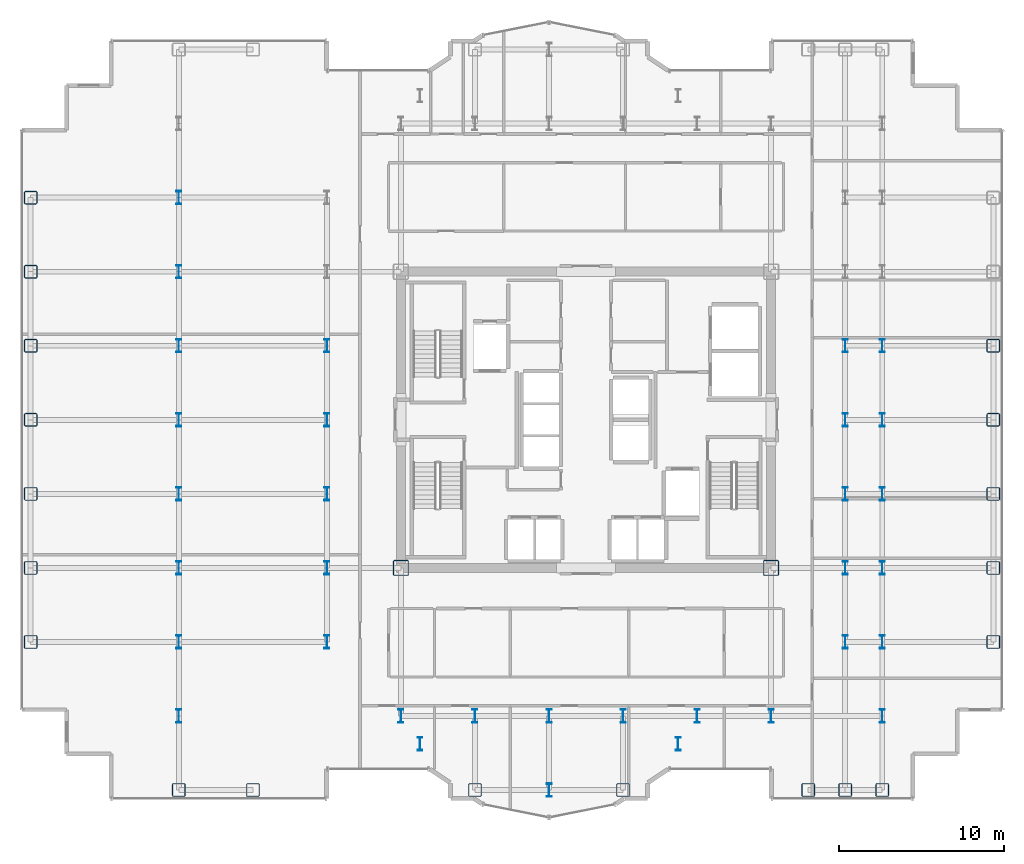
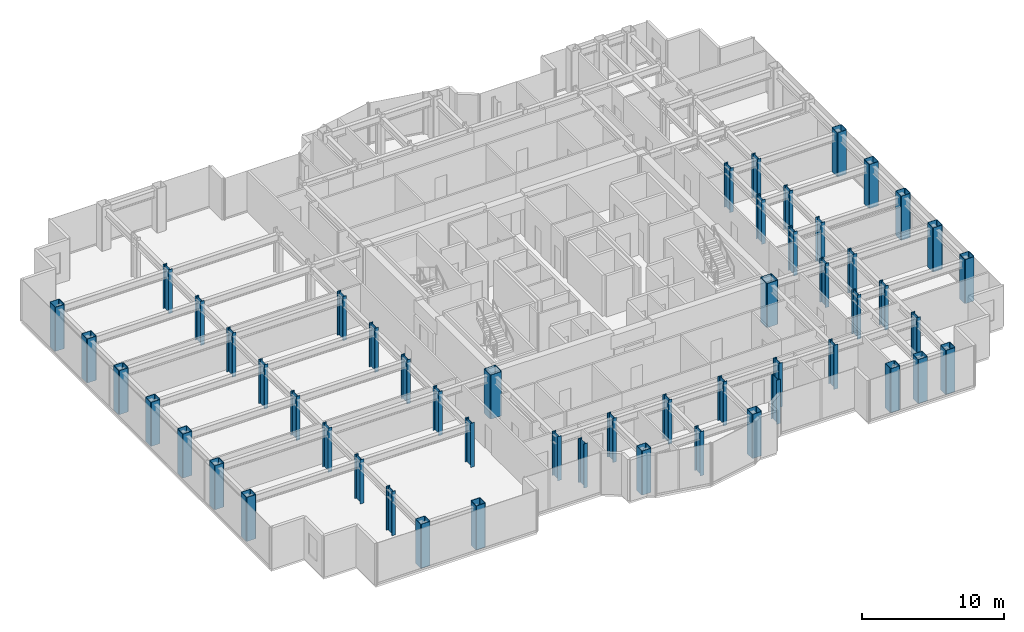
# One storey, part 1 of 23: 54 columns.
"""IFC4 building model written with IfcOpenShell, lengths in metres."""

from ifc_helpers import new_model, si_unit, direction, frame, origin, origin_2d, place, context, subcontext, project, spatial, hollow_rectangle, i_section, extrude, source, transform, mapped, material, material_profile, profile_set, type_object, element, save


model = new_model("IFC4")

# Units and contexts
model_context = context("Model", 3, precision=1e-05, world=origin(), true_north=direction((0.0, 1.0)))
body_context = subcontext(model_context, "Body", "Model", "MODEL_VIEW")
ifc_project = project(units=[si_unit("LENGTHUNIT", "METRE"), si_unit("AREAUNIT", "SQUARE_METRE"), si_unit("VOLUMEUNIT", "CUBIC_METRE"), si_unit("PLANEANGLEUNIT", "RADIAN"), si_unit("MASSUNIT", "GRAM", prefix="KILO")], contexts=[model_context])

# Site, building, storey
site_placement = place(None, origin())
site = spatial("IfcSite", under=ifc_project, at=site_placement, CompositionType="ELEMENT")
building_placement = place(site_placement, origin())
building = spatial("IfcBuilding", under=site, at=building_placement, Name="Nefas-Gora Pilgrimage Tower", CompositionType="ELEMENT")
storey_placement = place(building_placement, frame((0.0, 0.0, 152.60009765625)))
storey = spatial("IfcBuildingStorey", under=building, at=storey_placement, Name="L37", CompositionType="ELEMENT", Elevation=152.60009765625)

# Columns
ifc_material = material(Name="Steel S460", Category="steel")
ifc_material_profile_1 = material_profile(ifc_material, hollow_rectangle(XDim=0.949951171875, YDim=0.949951171875, WallThickness=0.044921875, InnerFilletRadius=0.044921875, OuterFilletRadius=0.090087890625, at=origin_2d()), Name="BOX 950x950x45")
ifc_profile_set_1 = profile_set([ifc_material_profile_1], Name="Steel S460")
column_type_1 = type_object("IfcColumnType", Name="COL-CORE-950", PredefinedType="COLUMN", material=ifc_profile_set_1)
shared_shape_1 = source(origin(), body_context, "Body", "SweptSolid", [
    extrude(hollow_rectangle(XDim=0.949951171875, YDim=0.949951171875, WallThickness=0.044921875, InnerFilletRadius=0.044921875, OuterFilletRadius=0.090087890625, at=origin_2d()), origin(), (0.0, 0.0, 1.0), 3.7998046875),
])
for number, where, z_axis, x_axis, name in (
    (1, (-11.25, -9.0, 0.0), (0.0, 0.0, 1.0), (1.0, 0.0, 0.0), "L37 Tower Column CC-Z1.29"),
    (2, (11.25, -9.0, 0.0), (0.0, 0.0, 1.0), (1.0, 0.0, 0.0), "L37 Tower Column CC-Z1.51"),
):
    element("IfcColumn", number, at=place(storey_placement, frame(where, z_axis=z_axis, x_axis=x_axis)), inside=storey, type_object=column_type_1, Name=name, PredefinedType="COLUMN", context=body_context, shape_type="MappedRepresentation", body=[
        mapped(shared_shape_1, transform((0.0, 0.0, 0.0), x_axis=(1.0, 0.0, 0.0), y_axis=(0.0, 1.0, 0.0), z_axis=(0.0, 0.0, 1.0), scale=1.0)),
    ])
ifc_material_profile_2 = material_profile(ifc_material, hollow_rectangle(XDim=0.800048828125, YDim=0.800048828125, WallThickness=0.0400390625, InnerFilletRadius=0.0400390625, OuterFilletRadius=0.080078125, at=origin_2d()), Name="BOX 800x800x40")
ifc_profile_set_2 = profile_set([ifc_material_profile_2], Name="Steel S460")
column_type_2 = type_object("IfcColumnType", Name="COL-TUBE-800", PredefinedType="COLUMN", material=ifc_profile_set_2)
shared_shape_2 = source(origin(), body_context, "Body", "SweptSolid", [
    extrude(hollow_rectangle(XDim=0.800048828125, YDim=0.800048828125, WallThickness=0.0400390625, InnerFilletRadius=0.0400390625, OuterFilletRadius=0.080078125, at=origin_2d()), origin(), (0.0, 0.0, 1.0), 3.7998046875),
])
for number, where, z_axis, x_axis, name in (
    (3, (-33.75, -13.5, 0.0), (0.0, 0.0, 1.0), (1.0, 0.0, 0.0), "L37 Tower Column C-Z2.1"),
    (4, (-33.75, -9.0, 0.0), (0.0, 0.0, 1.0), (1.0, 0.0, 0.0), "L37 Tower Column C-Z2.2"),
    (5, (-33.75, -4.5, 0.0), (0.0, 0.0, 1.0), (1.0, 0.0, 0.0), "L37 Tower Column C-Z2.3"),
    (6, (-33.75, 0.0, 0.0), (0.0, 0.0, 1.0), (1.0, 0.0, 0.0), "L37 Tower Column C-Z2.4"),
    (7, (-33.75, 4.5, 0.0), (0.0, 0.0, 1.0), (1.0, 0.0, 0.0), "L37 Tower Column C-Z2.5"),
    (8, (-33.75, 9.0, 0.0), (0.0, 0.0, 1.0), (1.0, 0.0, 0.0), "L37 Tower Column C-Z2.6"),
    (9, (-33.75, 13.5, 0.0), (0.0, 0.0, 1.0), (1.0, 0.0, 0.0), "L37 Tower Column C-Z2.7"),
    (10, (-24.75, -22.5, 0.0), (0.0, 0.0, 1.0), (1.0, 0.0, 0.0), "L37 Tower Column C-Z2.8"),
    (11, (-20.25, -22.5, 0.0), (0.0, 0.0, 1.0), (1.0, 0.0, 0.0), "L37 Tower Column C-Z2.19"),
    (12, (-6.75, -22.5, 0.0), (0.0, 0.0, 1.0), (1.0, 0.0, 0.0), "L37 Tower Column C-Z2.34"),
    (13, (2.25, -22.5, 0.0), (0.0, 0.0, 1.0), (1.0, 0.0, 0.0), "L37 Tower Column C-Z2.42"),
    (14, (13.5, -22.5, 0.0), (0.0, 0.0, 1.0), (1.0, 0.0, 0.0), "L37 Tower Column C-Z2.54"),
    (15, (15.75, -22.5, 0.0), (0.0, 0.0, 1.0), (1.0, 0.0, 0.0), "L37 Tower Column C-Z2.56"),
    (16, (18.0, -22.5, 0.0), (0.0, 0.0, 1.0), (1.0, 0.0, 0.0), "L37 Tower Column C-Z2.65"),
    (17, (24.75, -13.5, 0.0), (0.0, 0.0, 1.0), (1.0, 0.0, 0.0), "L37 Tower Column C-Z2.76"),
    (18, (24.75, -9.0, 0.0), (0.0, 0.0, 1.0), (1.0, 0.0, 0.0), "L37 Tower Column C-Z2.77"),
    (19, (24.75, -4.5, 0.0), (0.0, 0.0, 1.0), (1.0, 0.0, 0.0), "L37 Tower Column C-Z2.78"),
    (20, (24.75, 0.0, 0.0), (0.0, 0.0, 1.0), (1.0, 0.0, 0.0), "L37 Tower Column C-Z2.79"),
    (21, (24.75, 4.5, 0.0), (0.0, 0.0, 1.0), (1.0, 0.0, 0.0), "L37 Tower Column C-Z2.80"),
):
    element("IfcColumn", number, at=place(storey_placement, frame(where, z_axis=z_axis, x_axis=x_axis)), inside=storey, type_object=column_type_2, Name=name, PredefinedType="COLUMN", context=body_context, shape_type="MappedRepresentation", body=[
        mapped(shared_shape_2, transform((0.0, 0.0, 0.0), x_axis=(1.0, 0.0, 0.0), y_axis=(0.0, 1.0, 0.0), z_axis=(0.0, 0.0, 1.0), scale=1.0)),
    ])
ifc_material_profile_3 = material_profile(ifc_material, i_section(OverallWidth=0.302978515625, OverallDepth=0.81396484375, WebThickness=0.02099609375, FlangeThickness=0.0400390625, FilletRadius=0.030029296875, at=origin_2d()), Name="HEM 800")
ifc_profile_set_3 = profile_set([ifc_material_profile_3], Name="Steel S460")
column_type_3 = type_object("IfcColumnType", Name="COL-WEB-HEM800", PredefinedType="COLUMN", material=ifc_profile_set_3)
shared_shape_3 = source(origin(), body_context, "Body", "SweptSolid", [
    extrude(i_section(OverallWidth=0.302978515625, OverallDepth=0.81396484375, WebThickness=0.02099609375, FlangeThickness=0.0400390625, FilletRadius=0.030029296875, at=origin_2d()), origin(), (0.0, 0.0, 1.0), 3.7998046875),
])
for number, where, z_axis, x_axis, name in (
    (22, (-24.75, -18.0, 0.0), (0.0, 0.0, 1.0), (1.0, 0.0, 0.0), "L37 Tower Column CW-02.9"),
    (23, (-24.75, -13.5, 0.0), (0.0, 0.0, 1.0), (1.0, 0.0, 0.0), "L37 Tower Column CW-02.10"),
    (24, (-24.75, -9.0, 0.0), (0.0, 0.0, 1.0), (1.0, 0.0, 0.0), "L37 Tower Column CW-02.11"),
    (25, (-24.75, -4.5, 0.0), (0.0, 0.0, 1.0), (1.0, 0.0, 0.0), "L37 Tower Column CW-02.12"),
    (26, (-24.75, 0.0, 0.0), (0.0, 0.0, 1.0), (1.0, 0.0, 0.0), "L37 Tower Column CW-02.13"),
    (27, (-24.75, 4.5, 0.0), (0.0, 0.0, 1.0), (1.0, 0.0, 0.0), "L37 Tower Column CW-02.14"),
    (28, (-24.75, 9.0, 0.0), (0.0, 0.0, 1.0), (1.0, 0.0, 0.0), "L37 Tower Column CW-02.15"),
    (29, (-24.75, 13.5, 0.0), (0.0, 0.0, 1.0), (1.0, 0.0, 0.0), "L37 Tower Column CW-02.16"),
    (30, (-15.75, -13.5, 0.0), (0.0, 0.0, 1.0), (1.0, 0.0, 0.0), "L37 Tower Column CW-02.21"),
    (31, (-15.75, -9.0, 0.0), (0.0, 0.0, 1.0), (1.0, 0.0, 0.0), "L37 Tower Column CW-02.22"),
    (32, (-15.75, -4.5, 0.0), (0.0, 0.0, 1.0), (1.0, 0.0, 0.0), "L37 Tower Column CW-02.23"),
    (33, (-15.75, 0.0, 0.0), (0.0, 0.0, 1.0), (1.0, 0.0, 0.0), "L37 Tower Column CW-02.24"),
    (34, (-15.75, 4.5, 0.0), (0.0, 0.0, 1.0), (1.0, 0.0, 0.0), "L37 Tower Column CW-02.25"),
    (35, (-11.25, -18.0, 0.0), (0.0, 0.0, 1.0), (1.0, 0.0, 0.0), "L37 Tower Column CW-02.28"),
    (36, (-10.091064453125, -19.696044921875, 0.0), (0.0, 0.0, 1.0), (1.0, 0.0, 0.0), "L37 Tower Column CW-02.32"),
    (37, (-6.75, -18.0, 0.0), (0.0, 0.0, 1.0), (1.0, 0.0, 0.0), "L37 Tower Column CW-02.35"),
    (38, (-2.25, -22.5, 0.0), (0.0, 0.0, 1.0), (1.0, 0.0, 0.0), "L37 Tower Column CW-02.38"),
    (39, (-2.25, -18.0, 0.0), (0.0, 0.0, 1.0), (1.0, 0.0, 0.0), "L37 Tower Column CW-02.39"),
    (40, (2.25, -18.0, 0.0), (0.0, 0.0, 1.0), (1.0, 0.0, 0.0), "L37 Tower Column CW-02.43"),
    (41, (5.591064453125, -19.696044921875, 0.0), (0.0, 0.0, 1.0), (1.0, 0.0, 0.0), "L37 Tower Column CW-02.46"),
    (42, (6.75, -18.0, 0.0), (0.0, 0.0, 1.0), (1.0, 0.0, 0.0), "L37 Tower Column CW-02.48"),
    (43, (11.25, -18.0, 0.0), (0.0, 0.0, 1.0), (1.0, 0.0, 0.0), "L37 Tower Column CW-02.50"),
    (44, (15.75, -13.5, 0.0), (0.0, 0.0, 1.0), (1.0, 0.0, 0.0), "L37 Tower Column CW-02.57"),
    (45, (15.75, -9.0, 0.0), (0.0, 0.0, 1.0), (1.0, 0.0, 0.0), "L37 Tower Column CW-02.58"),
    (46, (15.75, -4.5, 0.0), (0.0, 0.0, 1.0), (1.0, 0.0, 0.0), "L37 Tower Column CW-02.59"),
    (47, (15.75, 0.0, 0.0), (0.0, 0.0, 1.0), (1.0, 0.0, 0.0), "L37 Tower Column CW-02.60"),
    (48, (15.75, 4.5, 0.0), (0.0, 0.0, 1.0), (1.0, 0.0, 0.0), "L37 Tower Column CW-02.61"),
    (49, (18.0, -18.0, 0.0), (0.0, 0.0, 1.0), (1.0, 0.0, 0.0), "L37 Tower Column CW-02.66"),
    (50, (18.0, -13.5, 0.0), (0.0, 0.0, 1.0), (1.0, 0.0, 0.0), "L37 Tower Column CW-02.67"),
    (51, (18.0, -9.0, 0.0), (0.0, 0.0, 1.0), (1.0, 0.0, 0.0), "L37 Tower Column CW-02.68"),
    (52, (18.0, -4.5, 0.0), (0.0, 0.0, 1.0), (1.0, 0.0, 0.0), "L37 Tower Column CW-02.69"),
    (53, (18.0, 0.0, 0.0), (0.0, 0.0, 1.0), (1.0, 0.0, 0.0), "L37 Tower Column CW-02.70"),
    (54, (18.0, 4.5, 0.0), (0.0, 0.0, 1.0), (1.0, 0.0, 0.0), "L37 Tower Column CW-02.71"),
):
    element("IfcColumn", number, at=place(storey_placement, frame(where, z_axis=z_axis, x_axis=x_axis)), inside=storey, type_object=column_type_3, Name=name, PredefinedType="COLUMN", context=body_context, shape_type="MappedRepresentation", body=[
        mapped(shared_shape_3, transform((0.0, 0.0, 0.0), x_axis=(1.0, 0.0, 0.0), y_axis=(0.0, 1.0, 0.0), z_axis=(0.0, 0.0, 1.0), scale=1.0)),
    ])

save(model, "model.ifc")
